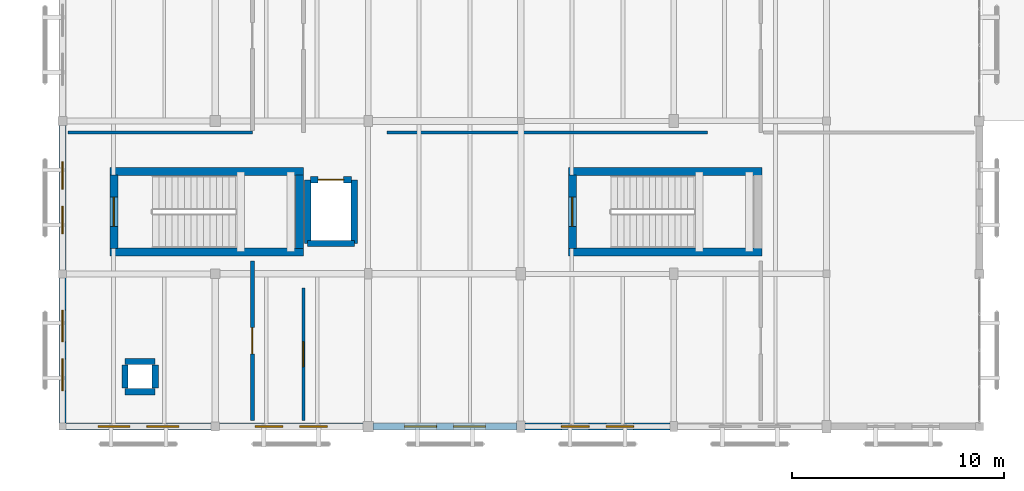
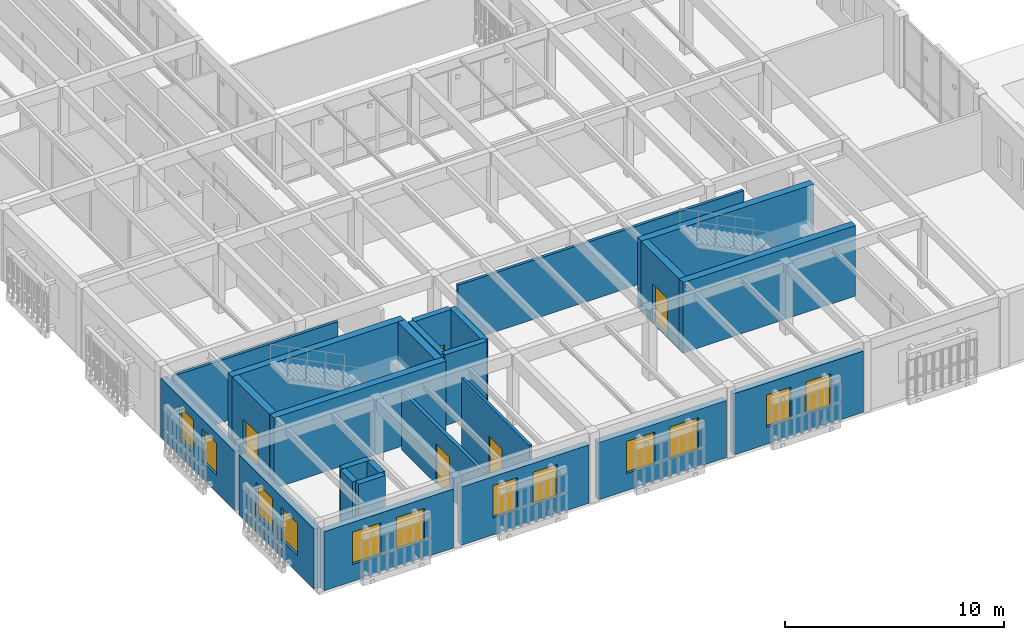
# One storey, part 45 of 61: 25 walls, 12 windows, 5 doors, 17 openings.
"""IFC4 building model written with IfcOpenShell, lengths in metres."""

from ifc_helpers import new_model, si_unit, direction, frame, frame_2d, origin, place, context, subcontext, project, spatial, rectangle, extrude, material, layer, layer_set, type_object, element, fill, save


model = new_model("IFC4")

# Units and contexts
model_context = context("Model", 3, precision=1e-05, world=origin(), true_north=direction((0.0, 1.0)))
body_context = subcontext(model_context, "Body", "Model", "MODEL_VIEW")
ifc_project = project(units=[si_unit("LENGTHUNIT", "METRE"), si_unit("AREAUNIT", "SQUARE_METRE"), si_unit("VOLUMEUNIT", "CUBIC_METRE"), si_unit("PLANEANGLEUNIT", "RADIAN"), si_unit("MASSUNIT", "GRAM", prefix="KILO")], contexts=[model_context])

# Site, building, storey
site_placement = place(None, origin())
site = spatial("IfcSite", under=ifc_project, at=site_placement, CompositionType="ELEMENT")
building_placement = place(site_placement, origin())
building = spatial("IfcBuilding", under=site, at=building_placement, Name="Mazaris Harbour Polytechnic", CompositionType="ELEMENT")
storey_placement = place(building_placement, frame((0.0, 0.0, 18.0)))
storey = spatial("IfcBuildingStorey", under=building, at=storey_placement, Name="L04", CompositionType="ELEMENT", Elevation=18.0)

# Walls
ifc_material_1 = material(Name="Double Gypsum and Mineral Wool")
ifc_layer_1 = layer(ifc_material_1, 0.14990234375, Name="Double Gypsum and Mineral Wool")
ifc_layer_set_1 = layer_set([ifc_layer_1], Name="Double Gypsum and Mineral Wool")
wall_type_1 = type_object("IfcWallType", Name="Classroom Acoustic Partition 150", PredefinedType="PARTITIONING", material=ifc_layer_set_1)
wall_1_placement = place(storey_placement, frame((0.25, 21.06005859375, 0.0), z_axis=(0.0, 0.0, 1.0), x_axis=(1.0, 0.0, 0.0)))
element("IfcWall", 1, at=wall_1_placement, inside=storey, type_object=wall_type_1, Name="V4 L04 Partition 446", PredefinedType="PARTITIONING", context=body_context, shape_type="SweptSolid", body=[
    extrude(rectangle(XDim=8.699951171875, YDim=0.14990234375, at=frame_2d((4.35009765625, 0.0))), origin(), (0.0, 0.0, 1.0), 3.485107421875),
])
wall_2_placement = place(storey_placement, frame((15.2900390625, 21.06005859375, 0.0), z_axis=(0.0, 0.0, 1.0), x_axis=(1.0, 0.0, 0.0)))
element("IfcWall", 2, at=wall_2_placement, inside=storey, type_object=wall_type_1, Name="V4 L04 Partition 458", PredefinedType="PARTITIONING", context=body_context, shape_type="SweptSolid", body=[
    extrude(rectangle(XDim=15.08984375, YDim=0.14990234375, at=frame_2d((7.544921875, 0.0))), origin(), (0.0, 0.0, 1.0), 3.294921875),
])

# Wall, opening, door
ifc_material_2 = material(Name="Terracotta Block and Plaster", Category="masonry")
ifc_layer_2 = layer(ifc_material_2, 0.179931640625, Name="Terracotta Block and Plaster")
ifc_layer_set_2 = layer_set([ifc_layer_2], Name="Terracotta Block and Plaster")
wall_type_2 = type_object("IfcWallType", Name="Corridor Fire Partition 180", PredefinedType="PARTITIONING", material=ifc_layer_set_2)
wall_3_placement = place(storey_placement, frame((8.949951171875, 7.5, 0.0), z_axis=(0.0, 0.0, 1.0), x_axis=(0.0, 1.0, 0.0)))
wall_3 = element("IfcWall", 3, at=wall_3_placement, inside=storey, type_object=wall_type_2, Name="V4 L04 Partition 445", PredefinedType="PARTITIONING", context=body_context, shape_type="SweptSolid", body=[
    extrude(rectangle(XDim=7.4951171875, YDim=0.179931640625, at=frame_2d((3.74755859375, 0.0))), origin(), (0.0, 0.0, 1.0), 3.2548828125),
])
opening_1_placement = place(wall_3_placement, frame((3.12744140625, 0.0, 0.0)))
opening_1 = element("IfcOpeningElement", 4, at=opening_1_placement, cuts=wall_3, Name="Opening ID-10R", PredefinedType="OPENING", context=body_context, shape_type="SweptSolid", body=[
    extrude(rectangle(XDim=1.239990234375, YDim=2.25, at=frame_2d((0.6201171875, 1.125))), frame((0.0, 0.099853515625, 0.0), z_axis=(0.0, -1.0, 0.0), x_axis=(1.0, 0.0, 0.0)), (0.0, 0.0, 1.0), 0.199951171875),
])
ifc_material_3 = material(Name="Glulam Timber and Glass", Category="wood")
door_type_1 = type_object("IfcDoorType", Name="Library Commons Door RH 1240x2250", OperationType="SINGLE_SWING_RIGHT", PredefinedType="DOOR", material=ifc_material_3)
door_1_placement = place(opening_1_placement, origin())
door_1 = element("IfcDoor", 5, at=door_1_placement, inside=storey, type_object=door_type_1, Name="ID-0210", OperationType="SINGLE_SWING_RIGHT", OverallHeight=2.25, OverallWidth=1.239990234375, PredefinedType="DOOR", context=body_context, shape_type="SweptSolid", body=[
    extrude(rectangle(XDim=1.239990234375, YDim=2.25, at=frame_2d((0.6201171875, 1.125))), frame((0.0, 0.02490234375, 0.0), z_axis=(0.0, -1.0, 0.0), x_axis=(1.0, 0.0, 0.0)), (0.0, 0.0, 1.0), 0.050048828125),
])
fill(opening_1, door_1)

# Wall, openings, windows
ifc_material_4 = material(Name="Algerian Buff Limestone and Mineral Wool", Category="masonry")
ifc_layer_3 = layer(ifc_material_4, 0.330078125, Name="Algerian Buff Limestone and Mineral Wool")
ifc_layer_set_3 = layer_set([ifc_layer_3], Name="Algerian Buff Limestone and Mineral Wool")
wall_type_3 = type_object("IfcWallType", Name="Limestone Cavity Wall 330", PredefinedType="STANDARD", material=ifc_layer_set_3)
wall_4_placement = place(storey_placement, frame((6.998046875, 7.199951171875, 0.0), z_axis=(0.0, 0.0, 1.0), x_axis=(-1.0, 0.0, 0.0)))
wall_4 = element("IfcWall", 6, at=wall_4_placement, inside=storey, type_object=wall_type_3, Name="V4 L04 Exterior Wall 246", PredefinedType="STANDARD", context=body_context, shape_type="SweptSolid", body=[
    extrude(rectangle(XDim=6.8359375, YDim=0.330078125, at=frame_2d((3.41796875, 0.0))), origin(), (0.0, 0.0, 1.0), 3.294921875),
])
opening_2_placement = place(wall_4_placement, frame((1.51806640625, 0.0, 0.949951171875)))
opening_2 = element("IfcOpeningElement", 7, at=opening_2_placement, cuts=wall_4, Name="Opening WN-14", PredefinedType="OPENING", context=body_context, shape_type="SweptSolid", body=[
    extrude(rectangle(XDim=1.5, YDim=1.800048828125, at=frame_2d((0.75, 0.89990234375))), frame((0.0, 0.175048828125, 0.0), z_axis=(0.0, -1.0, 0.0), x_axis=(1.0, 0.0, 0.0)), (0.0, 0.0, 1.0), 0.35009765625),
])
opening_3_placement = place(wall_4_placement, frame((3.818115234375, 0.0, 0.949951171875)))
opening_3 = element("IfcOpeningElement", 8, at=opening_3_placement, cuts=wall_4, Name="Opening WN-14", PredefinedType="OPENING", context=body_context, shape_type="SweptSolid", body=[
    extrude(rectangle(XDim=1.5, YDim=1.800048828125, at=frame_2d((0.75, 0.89990234375))), frame((0.0, 0.175048828125, 0.0), z_axis=(0.0, -1.0, 0.0), x_axis=(1.0, 0.0, 0.0)), (0.0, 0.0, 1.0), 0.35009765625),
])
ifc_material_5 = material(Name="Thermally Broken Bronze Aluminium and Low-E Glass", Category="aluminium")
window_type_1 = type_object("IfcWindowType", Name="Attic Deep-Reveal Window 1500x1800", PartitioningType="DOUBLE_PANEL_VERTICAL", PredefinedType="WINDOW", material=ifc_material_5)
window_1_placement = place(opening_2_placement, origin())
window_1 = element("IfcWindow", 9, at=window_1_placement, inside=storey, type_object=window_type_1, Name="WN-0262", OverallHeight=1.800048828125, OverallWidth=1.5, PartitioningType="DOUBLE_PANEL_VERTICAL", PredefinedType="WINDOW", context=body_context, shape_type="SweptSolid", body=[
    extrude(rectangle(XDim=1.5, YDim=1.800048828125, at=frame_2d((0.75, 0.89990234375))), frame((0.0, 0.030029296875, 0.0), z_axis=(0.0, -1.0, 0.0), x_axis=(1.0, 0.0, 0.0)), (0.0, 0.0, 1.0), 0.06005859375),
])
fill(opening_2, window_1)
window_2_placement = place(opening_3_placement, origin())
window_2 = element("IfcWindow", 10, at=window_2_placement, inside=storey, type_object=window_type_1, Name="WN-0263", OverallHeight=1.800048828125, OverallWidth=1.5, PartitioningType="DOUBLE_PANEL_VERTICAL", PredefinedType="WINDOW", context=body_context, shape_type="SweptSolid", body=[
    extrude(rectangle(XDim=1.5, YDim=1.800048828125, at=frame_2d((0.75, 0.89990234375))), frame((0.0, 0.030029296875, 0.0), z_axis=(0.0, -1.0, 0.0), x_axis=(1.0, 0.0, 0.0)), (0.0, 0.0, 1.0), 0.06005859375),
])
fill(opening_3, window_2)

wall_5_placement = place(storey_placement, frame((14.157958984375, 7.199951171875, 0.0), z_axis=(0.0, 0.0, 1.0), x_axis=(-1.0, 0.0, 0.0)))
wall_5 = element("IfcWall", 11, at=wall_5_placement, inside=storey, type_object=wall_type_3, Name="V4 L04 Exterior Wall 247", PredefinedType="STANDARD", context=body_context, shape_type="SweptSolid", body=[
    extrude(rectangle(XDim=6.755859375, YDim=0.330078125, at=frame_2d((3.3779296875, 0.0))), origin(), (0.0, 0.0, 1.0), 3.2548828125),
])
opening_4_placement = place(wall_5_placement, frame((1.677978515625, 0.0, 0.949951171875)))
opening_4 = element("IfcOpeningElement", 12, at=opening_4_placement, cuts=wall_5, Name="Opening WN-13", PredefinedType="OPENING", context=body_context, shape_type="SweptSolid", body=[
    extrude(rectangle(XDim=1.300048828125, YDim=1.800048828125, at=frame_2d((0.64990234375, 0.89990234375))), frame((0.0, 0.175048828125, 0.0), z_axis=(0.0, -1.0, 0.0), x_axis=(1.0, 0.0, 0.0)), (0.0, 0.0, 1.0), 0.35009765625),
])
opening_5_placement = place(wall_5_placement, frame((3.778076171875, 0.0, 0.949951171875)))
opening_5 = element("IfcOpeningElement", 13, at=opening_5_placement, cuts=wall_5, Name="Opening WN-13", PredefinedType="OPENING", context=body_context, shape_type="SweptSolid", body=[
    extrude(rectangle(XDim=1.300048828125, YDim=1.800048828125, at=frame_2d((0.64990234375, 0.89990234375))), frame((0.0, 0.175048828125, 0.0), z_axis=(0.0, -1.0, 0.0), x_axis=(1.0, 0.0, 0.0)), (0.0, 0.0, 1.0), 0.35009765625),
])
ifc_material_6 = material(Name="Thermally Broken Bronze Aluminium and Low-E Glass", Category="aluminium")
window_type_2 = type_object("IfcWindowType", Name="Attic Deep-Reveal Window 1300x1800", PartitioningType="DOUBLE_PANEL_VERTICAL", PredefinedType="WINDOW", material=ifc_material_6)
window_3_placement = place(opening_4_placement, origin())
window_3 = element("IfcWindow", 14, at=window_3_placement, inside=storey, type_object=window_type_2, Name="WN-0264", OverallHeight=1.800048828125, OverallWidth=1.300048828125, PartitioningType="DOUBLE_PANEL_VERTICAL", PredefinedType="WINDOW", context=body_context, shape_type="SweptSolid", body=[
    extrude(rectangle(XDim=1.300048828125, YDim=1.800048828125, at=frame_2d((0.64990234375, 0.89990234375))), frame((0.0, 0.030029296875, 0.0), z_axis=(0.0, -1.0, 0.0), x_axis=(1.0, 0.0, 0.0)), (0.0, 0.0, 1.0), 0.06005859375),
])
fill(opening_4, window_3)
window_4_placement = place(opening_5_placement, origin())
window_4 = element("IfcWindow", 15, at=window_4_placement, inside=storey, type_object=window_type_2, Name="WN-0265", OverallHeight=1.800048828125, OverallWidth=1.300048828125, PartitioningType="DOUBLE_PANEL_VERTICAL", PredefinedType="WINDOW", context=body_context, shape_type="SweptSolid", body=[
    extrude(rectangle(XDim=1.300048828125, YDim=1.800048828125, at=frame_2d((0.64990234375, 0.89990234375))), frame((0.0, 0.030029296875, 0.0), z_axis=(0.0, -1.0, 0.0), x_axis=(1.0, 0.0, 0.0)), (0.0, 0.0, 1.0), 0.06005859375),
])
fill(opening_5, window_4)

wall_6_placement = place(storey_placement, frame((21.407958984375, 7.199951171875, 0.0), z_axis=(0.0, 0.0, 1.0), x_axis=(-1.0, 0.0, 0.0)))
wall_6 = element("IfcWall", 16, at=wall_6_placement, inside=storey, type_object=wall_type_3, Name="V4 L04 Exterior Wall 248", PredefinedType="STANDARD", context=body_context, shape_type="SweptSolid", body=[
    extrude(rectangle(XDim=6.765869140625, YDim=0.330078125, at=frame_2d((3.3828125, 0.0))), origin(), (0.0, 0.0, 1.0), 3.195068359375),
])
opening_6_placement = place(wall_6_placement, frame((1.48291015625, 0.0, 0.949951171875)))
opening_6 = element("IfcOpeningElement", 17, at=opening_6_placement, cuts=wall_6, Name="Opening WN-14", PredefinedType="OPENING", context=body_context, shape_type="SweptSolid", body=[
    extrude(rectangle(XDim=1.5, YDim=1.800048828125, at=frame_2d((0.75, 0.89990234375))), frame((0.0, 0.175048828125, 0.0), z_axis=(0.0, -1.0, 0.0), x_axis=(1.0, 0.0, 0.0)), (0.0, 0.0, 1.0), 0.35009765625),
])
opening_7_placement = place(wall_6_placement, frame((3.782958984375, 0.0, 0.949951171875)))
opening_7 = element("IfcOpeningElement", 18, at=opening_7_placement, cuts=wall_6, Name="Opening WN-14", PredefinedType="OPENING", context=body_context, shape_type="SweptSolid", body=[
    extrude(rectangle(XDim=1.5, YDim=1.800048828125, at=frame_2d((0.75, 0.89990234375))), frame((0.0, 0.175048828125, 0.0), z_axis=(0.0, -1.0, 0.0), x_axis=(1.0, 0.0, 0.0)), (0.0, 0.0, 1.0), 0.35009765625),
])
window_5_placement = place(opening_6_placement, origin())
window_5 = element("IfcWindow", 19, at=window_5_placement, inside=storey, type_object=window_type_1, Name="WN-0266", OverallHeight=1.800048828125, OverallWidth=1.5, PartitioningType="DOUBLE_PANEL_VERTICAL", PredefinedType="WINDOW", context=body_context, shape_type="SweptSolid", body=[
    extrude(rectangle(XDim=1.5, YDim=1.800048828125, at=frame_2d((0.75, 0.89990234375))), frame((0.0, 0.030029296875, 0.0), z_axis=(0.0, -1.0, 0.0), x_axis=(1.0, 0.0, 0.0)), (0.0, 0.0, 1.0), 0.06005859375),
])
fill(opening_6, window_5)
window_6_placement = place(opening_7_placement, origin())
window_6 = element("IfcWindow", 20, at=window_6_placement, inside=storey, type_object=window_type_1, Name="WN-0267", OverallHeight=1.800048828125, OverallWidth=1.5, PartitioningType="DOUBLE_PANEL_VERTICAL", PredefinedType="WINDOW", context=body_context, shape_type="SweptSolid", body=[
    extrude(rectangle(XDim=1.5, YDim=1.800048828125, at=frame_2d((0.75, 0.89990234375))), frame((0.0, 0.030029296875, 0.0), z_axis=(0.0, -1.0, 0.0), x_axis=(1.0, 0.0, 0.0)), (0.0, 0.0, 1.0), 0.06005859375),
])
fill(opening_7, window_6)

wall_7_placement = place(storey_placement, frame((28.6279296875, 7.199951171875, 0.0), z_axis=(0.0, 0.0, 1.0), x_axis=(-1.0, 0.0, 0.0)))
wall_7 = element("IfcWall", 21, at=wall_7_placement, inside=storey, type_object=wall_type_3, Name="V4 L04 Exterior Wall 249", PredefinedType="STANDARD", context=body_context, shape_type="SweptSolid", body=[
    extrude(rectangle(XDim=6.8359375, YDim=0.330078125, at=frame_2d((3.41796875, 0.0))), origin(), (0.0, 0.0, 1.0), 3.4150390625),
])
opening_8_placement = place(wall_7_placement, frame((1.718017578125, 0.0, 0.949951171875)))
opening_8 = element("IfcOpeningElement", 22, at=opening_8_placement, cuts=wall_7, Name="Opening WN-13", PredefinedType="OPENING", context=body_context, shape_type="SweptSolid", body=[
    extrude(rectangle(XDim=1.300048828125, YDim=1.800048828125, at=frame_2d((0.64990234375, 0.89990234375))), frame((0.0, 0.175048828125, 0.0), z_axis=(0.0, -1.0, 0.0), x_axis=(1.0, 0.0, 0.0)), (0.0, 0.0, 1.0), 0.35009765625),
])
opening_9_placement = place(wall_7_placement, frame((3.818115234375, 0.0, 0.949951171875)))
opening_9 = element("IfcOpeningElement", 23, at=opening_9_placement, cuts=wall_7, Name="Opening WN-13", PredefinedType="OPENING", context=body_context, shape_type="SweptSolid", body=[
    extrude(rectangle(XDim=1.300048828125, YDim=1.800048828125, at=frame_2d((0.64990234375, 0.89990234375))), frame((0.0, 0.175048828125, 0.0), z_axis=(0.0, -1.0, 0.0), x_axis=(1.0, 0.0, 0.0)), (0.0, 0.0, 1.0), 0.35009765625),
])
window_7_placement = place(opening_8_placement, origin())
window_7 = element("IfcWindow", 24, at=window_7_placement, inside=storey, type_object=window_type_2, Name="WN-0268", OverallHeight=1.800048828125, OverallWidth=1.300048828125, PartitioningType="DOUBLE_PANEL_VERTICAL", PredefinedType="WINDOW", context=body_context, shape_type="SweptSolid", body=[
    extrude(rectangle(XDim=1.300048828125, YDim=1.800048828125, at=frame_2d((0.64990234375, 0.89990234375))), frame((0.0, 0.030029296875, 0.0), z_axis=(0.0, -1.0, 0.0), x_axis=(1.0, 0.0, 0.0)), (0.0, 0.0, 1.0), 0.06005859375),
])
fill(opening_8, window_7)
window_8_placement = place(opening_9_placement, origin())
window_8 = element("IfcWindow", 25, at=window_8_placement, inside=storey, type_object=window_type_2, Name="WN-0269", OverallHeight=1.800048828125, OverallWidth=1.300048828125, PartitioningType="DOUBLE_PANEL_VERTICAL", PredefinedType="WINDOW", context=body_context, shape_type="SweptSolid", body=[
    extrude(rectangle(XDim=1.300048828125, YDim=1.800048828125, at=frame_2d((0.64990234375, 0.89990234375))), frame((0.0, 0.030029296875, 0.0), z_axis=(0.0, -1.0, 0.0), x_axis=(1.0, 0.0, 0.0)), (0.0, 0.0, 1.0), 0.06005859375),
])
fill(opening_9, window_8)

wall_8_placement = place(storey_placement, frame((0.0, 7.362060546875, 0.0), z_axis=(0.0, 0.0, 1.0), x_axis=(0.0, 1.0, 0.0)))
wall_8 = element("IfcWall", 26, at=wall_8_placement, inside=storey, type_object=wall_type_3, Name="V4 L04 Exterior Wall 258", PredefinedType="STANDARD", context=body_context, shape_type="SweptSolid", body=[
    extrude(rectangle(XDim=6.85595703125, YDim=0.330078125, at=frame_2d((3.427978515625, 0.0))), origin(), (0.0, 0.0, 1.0), 3.35498046875),
])
opening_10_placement = place(wall_8_placement, frame((1.528076171875, 0.0, 0.949951171875)))
opening_10 = element("IfcOpeningElement", 27, at=opening_10_placement, cuts=wall_8, Name="Opening WN-14", PredefinedType="OPENING", context=body_context, shape_type="SweptSolid", body=[
    extrude(rectangle(XDim=1.5, YDim=1.800048828125, at=frame_2d((0.75, 0.89990234375))), frame((0.0, 0.175048828125, 0.0), z_axis=(0.0, -1.0, 0.0), x_axis=(1.0, 0.0, 0.0)), (0.0, 0.0, 1.0), 0.35009765625),
])
opening_11_placement = place(wall_8_placement, frame((3.827880859375, 0.0, 0.949951171875)))
opening_11 = element("IfcOpeningElement", 28, at=opening_11_placement, cuts=wall_8, Name="Opening WN-14", PredefinedType="OPENING", context=body_context, shape_type="SweptSolid", body=[
    extrude(rectangle(XDim=1.5, YDim=1.800048828125, at=frame_2d((0.75, 0.89990234375))), frame((0.0, 0.175048828125, 0.0), z_axis=(0.0, -1.0, 0.0), x_axis=(1.0, 0.0, 0.0)), (0.0, 0.0, 1.0), 0.35009765625),
])
window_9_placement = place(opening_10_placement, origin())
window_9 = element("IfcWindow", 29, at=window_9_placement, inside=storey, type_object=window_type_1, Name="WN-0286", OverallHeight=1.800048828125, OverallWidth=1.5, PartitioningType="DOUBLE_PANEL_VERTICAL", PredefinedType="WINDOW", context=body_context, shape_type="SweptSolid", body=[
    extrude(rectangle(XDim=1.5, YDim=1.800048828125, at=frame_2d((0.75, 0.89990234375))), frame((0.0, 0.030029296875, 0.0), z_axis=(0.0, -1.0, 0.0), x_axis=(1.0, 0.0, 0.0)), (0.0, 0.0, 1.0), 0.06005859375),
])
fill(opening_10, window_9)
window_10_placement = place(opening_11_placement, origin())
window_10 = element("IfcWindow", 30, at=window_10_placement, inside=storey, type_object=window_type_1, Name="WN-0287", OverallHeight=1.800048828125, OverallWidth=1.5, PartitioningType="DOUBLE_PANEL_VERTICAL", PredefinedType="WINDOW", context=body_context, shape_type="SweptSolid", body=[
    extrude(rectangle(XDim=1.5, YDim=1.800048828125, at=frame_2d((0.75, 0.89990234375))), frame((0.0, 0.030029296875, 0.0), z_axis=(0.0, -1.0, 0.0), x_axis=(1.0, 0.0, 0.0)), (0.0, 0.0, 1.0), 0.06005859375),
])
fill(opening_11, window_10)

wall_9_placement = place(storey_placement, frame((0.0, 14.58203125, 0.0), z_axis=(0.0, 0.0, 1.0), x_axis=(0.0, 1.0, 0.0)))
wall_9 = element("IfcWall", 31, at=wall_9_placement, inside=storey, type_object=wall_type_3, Name="V4 L04 Exterior Wall 259", PredefinedType="STANDARD", context=body_context, shape_type="SweptSolid", body=[
    extrude(rectangle(XDim=6.81591796875, YDim=0.330078125, at=frame_2d((3.407958984375, 0.0))), origin(), (0.0, 0.0, 1.0), 3.294921875),
])
opening_12_placement = place(wall_9_placement, frame((1.7080078125, 0.0, 0.949951171875)))
opening_12 = element("IfcOpeningElement", 32, at=opening_12_placement, cuts=wall_9, Name="Opening WN-13", PredefinedType="OPENING", context=body_context, shape_type="SweptSolid", body=[
    extrude(rectangle(XDim=1.300048828125, YDim=1.800048828125, at=frame_2d((0.64990234375, 0.89990234375))), frame((0.0, 0.175048828125, 0.0), z_axis=(0.0, -1.0, 0.0), x_axis=(1.0, 0.0, 0.0)), (0.0, 0.0, 1.0), 0.35009765625),
])
opening_13_placement = place(wall_9_placement, frame((3.80810546875, 0.0, 0.949951171875)))
opening_13 = element("IfcOpeningElement", 33, at=opening_13_placement, cuts=wall_9, Name="Opening WN-13", PredefinedType="OPENING", context=body_context, shape_type="SweptSolid", body=[
    extrude(rectangle(XDim=1.300048828125, YDim=1.800048828125, at=frame_2d((0.64990234375, 0.89990234375))), frame((0.0, 0.175048828125, 0.0), z_axis=(0.0, -1.0, 0.0), x_axis=(1.0, 0.0, 0.0)), (0.0, 0.0, 1.0), 0.35009765625),
])
window_11_placement = place(opening_12_placement, origin())
window_11 = element("IfcWindow", 34, at=window_11_placement, inside=storey, type_object=window_type_2, Name="WN-0288", OverallHeight=1.800048828125, OverallWidth=1.300048828125, PartitioningType="DOUBLE_PANEL_VERTICAL", PredefinedType="WINDOW", context=body_context, shape_type="SweptSolid", body=[
    extrude(rectangle(XDim=1.300048828125, YDim=1.800048828125, at=frame_2d((0.64990234375, 0.89990234375))), frame((0.0, 0.030029296875, 0.0), z_axis=(0.0, -1.0, 0.0), x_axis=(1.0, 0.0, 0.0)), (0.0, 0.0, 1.0), 0.06005859375),
])
fill(opening_12, window_11)
window_12_placement = place(opening_13_placement, origin())
window_12 = element("IfcWindow", 35, at=window_12_placement, inside=storey, type_object=window_type_2, Name="WN-0289", OverallHeight=1.800048828125, OverallWidth=1.300048828125, PartitioningType="DOUBLE_PANEL_VERTICAL", PredefinedType="WINDOW", context=body_context, shape_type="SweptSolid", body=[
    extrude(rectangle(XDim=1.300048828125, YDim=1.800048828125, at=frame_2d((0.64990234375, 0.89990234375))), frame((0.0, 0.030029296875, 0.0), z_axis=(0.0, -1.0, 0.0), x_axis=(1.0, 0.0, 0.0)), (0.0, 0.0, 1.0), 0.06005859375),
])
fill(opening_13, window_12)

# Walls
ifc_material_7 = material(Name="Concrete C40/50", Category="concrete")
ifc_layer_4 = layer(ifc_material_7, 0.375, Name="Concrete C40/50")
ifc_layer_set_4 = layer_set([ifc_layer_4], Name="Concrete C40/50")
wall_type_4 = type_object("IfcWallType", Name="RC Core Shear Wall 375", PredefinedType="SHEAR", material=ifc_layer_set_4)
for number, where, z_axis, x_axis, name in (
    (36, (2.25, 15.425048828125, 0.0), (0.0, 0.0, 1.0), (1.0, 0.0, 0.0), "Core ST07 L04 Shear Wall S"),
    (37, (11.35009765625, 19.22509765625, 0.0), (0.0, 0.0, 1.0), (-1.0, 0.0, 0.0), "Core ST07 L04 Shear Wall N"),
):
    element("IfcWall", number, at=place(storey_placement, frame(where, z_axis=z_axis, x_axis=x_axis)), inside=storey, type_object=wall_type_4, Name=name, PredefinedType="SHEAR", context=body_context, shape_type="SweptSolid", body=[
        extrude(rectangle(XDim=9.10009765625, YDim=0.375, at=frame_2d((4.550048828125, 0.0))), origin(), (0.0, 0.0, 1.0), 3.93505859375),
    ])
wall_10_placement = place(storey_placement, frame((11.175048828125, 15.60009765625, 0.0), z_axis=(0.0, 0.0, 1.0), x_axis=(0.0, 1.0, 0.0)))
element("IfcWall", 38, at=wall_10_placement, inside=storey, type_object=wall_type_4, Name="Core ST07 L04 Shear Wall E", PredefinedType="SHEAR", context=body_context, shape_type="SweptSolid", body=[
    extrude(rectangle(XDim=3.449951171875, YDim=0.375, at=frame_2d((1.72509765625, 0.0))), origin(), (0.0, 0.0, 1.0), 3.93505859375),
])
for number, where, z_axis, x_axis, name in (
    (39, (23.85009765625, 15.425048828125, 0.0), (0.0, 0.0, 1.0), (1.0, 0.0, 0.0), "Core ST08 L04 Shear Wall S"),
    (40, (32.949951171875, 19.22509765625, 0.0), (0.0, 0.0, 1.0), (-1.0, 0.0, 0.0), "Core ST08 L04 Shear Wall N"),
):
    element("IfcWall", number, at=place(storey_placement, frame(where, z_axis=z_axis, x_axis=x_axis)), inside=storey, type_object=wall_type_4, Name=name, PredefinedType="SHEAR", context=body_context, shape_type="SweptSolid", body=[
        extrude(rectangle(XDim=9.099853515625, YDim=0.375, at=frame_2d((4.5498046875, 0.0))), origin(), (0.0, 0.0, 1.0), 3.93505859375),
    ])

# Wall, opening, door
wall_11_placement = place(storey_placement, frame((2.425048828125, 19.050048828125, 0.0), z_axis=(0.0, 0.0, 1.0), x_axis=(0.0, -1.0, 0.0)))
wall_11 = element("IfcWall", 41, at=wall_11_placement, inside=storey, type_object=wall_type_4, Name="Core ST07 L04 Entrance Shear Wall", PredefinedType="SHEAR", context=body_context, shape_type="SweptSolid", body=[
    extrude(rectangle(XDim=3.449951171875, YDim=0.375, at=frame_2d((1.72509765625, 0.0))), origin(), (0.0, 0.0, 1.0), 3.93505859375),
])
opening_14_placement = place(wall_11_placement, frame((1.034912109375, 0.0, 0.0)))
opening_14 = element("IfcOpeningElement", 42, at=opening_14_placement, cuts=wall_11, Name="Opening SD-01", PredefinedType="OPENING", context=body_context, shape_type="SweptSolid", body=[
    extrude(rectangle(XDim=1.3798828125, YDim=2.199951171875, at=frame_2d((0.68994140625, 1.10009765625))), frame((0.0, 0.197509765625, 0.0), z_axis=(0.0, -1.0, 0.0), x_axis=(1.0, 0.0, 0.0)), (0.0, 0.0, 1.0), 0.39501953125),
])
ifc_material_8 = material(Name="Glulam Timber and Fire Glass", Category="wood")
door_type_2 = type_object("IfcDoorType", Name="Protected Stair Lobby Fire Door 1380x2200", OperationType="DOUBLE_DOOR_SINGLE_SWING", PredefinedType="DOOR", material=ifc_material_8)
door_2_placement = place(opening_14_placement, origin())
door_2 = element("IfcDoor", 43, at=door_2_placement, inside=storey, type_object=door_type_2, Name="SD-033", OperationType="DOUBLE_DOOR_SINGLE_SWING", OverallHeight=2.199951171875, OverallWidth=1.3798828125, PredefinedType="DOOR", context=body_context, shape_type="SweptSolid", body=[
    extrude(rectangle(XDim=1.3798828125, YDim=2.199951171875, at=frame_2d((0.68994140625, 1.10009765625))), frame((0.0, 0.02490234375, 0.0), z_axis=(0.0, -1.0, 0.0), x_axis=(1.0, 0.0, 0.0)), (0.0, 0.0, 1.0), 0.050048828125),
])
fill(opening_14, door_2)

wall_12_placement = place(storey_placement, frame((24.02490234375, 19.050048828125, 0.0), z_axis=(0.0, 0.0, 1.0), x_axis=(0.0, -1.0, 0.0)))
wall_12 = element("IfcWall", 44, at=wall_12_placement, inside=storey, type_object=wall_type_4, Name="Core ST08 L04 Entrance Shear Wall", PredefinedType="SHEAR", context=body_context, shape_type="SweptSolid", body=[
    extrude(rectangle(XDim=3.449951171875, YDim=0.375, at=frame_2d((1.72509765625, 0.0))), origin(), (0.0, 0.0, 1.0), 3.93505859375),
])
opening_15_placement = place(wall_12_placement, frame((1.034912109375, 0.0, 0.0)))
opening_15 = element("IfcOpeningElement", 45, at=opening_15_placement, cuts=wall_12, Name="Opening SD-01", PredefinedType="OPENING", context=body_context, shape_type="SweptSolid", body=[
    extrude(rectangle(XDim=1.3798828125, YDim=2.199951171875, at=frame_2d((0.68994140625, 1.10009765625))), frame((0.0, 0.197509765625, 0.0), z_axis=(0.0, -1.0, 0.0), x_axis=(1.0, 0.0, 0.0)), (0.0, 0.0, 1.0), 0.39501953125),
])
door_3_placement = place(opening_15_placement, origin())
door_3 = element("IfcDoor", 46, at=door_3_placement, inside=storey, type_object=door_type_2, Name="SD-040", OperationType="DOUBLE_DOOR_SINGLE_SWING", OverallHeight=2.199951171875, OverallWidth=1.3798828125, PredefinedType="DOOR", context=body_context, shape_type="SweptSolid", body=[
    extrude(rectangle(XDim=1.3798828125, YDim=2.199951171875, at=frame_2d((0.68994140625, 1.10009765625))), frame((0.0, 0.02490234375, 0.0), z_axis=(0.0, -1.0, 0.0), x_axis=(1.0, 0.0, 0.0)), (0.0, 0.0, 1.0), 0.050048828125),
])
fill(opening_15, door_3)

# Walls
ifc_material_9 = material(Name="Concrete C40/50", Category="concrete")
ifc_layer_5 = layer(ifc_material_9, 0.300048828125, Name="Concrete C40/50")
ifc_layer_set_5 = layer_set([ifc_layer_5], Name="Concrete C40/50")
wall_type_5 = type_object("IfcWallType", Name="RC Lift Shaft Wall 300", PredefinedType="SHEAR", material=ifc_layer_set_5)
wall_13_placement = place(storey_placement, frame((2.949951171875, 8.85009765625, 0.0), z_axis=(0.0, 0.0, 1.0), x_axis=(1.0, 0.0, 0.0)))
element("IfcWall", 47, at=wall_13_placement, inside=storey, type_object=wall_type_5, Name="V4 L04 Riser Enclosure Wall 1-1", PredefinedType="SHEAR", context=body_context, shape_type="SweptSolid", body=[
    extrude(rectangle(XDim=1.420166015625, YDim=0.300048828125, at=frame_2d((0.7099609375, 0.0))), origin(), (0.0, 0.0, 1.0), 3.9599609375),
])
wall_14_placement = place(storey_placement, frame((4.3701171875, 9.010009765625, 0.0), z_axis=(0.0, 0.0, 1.0), x_axis=(0.0, 1.0, 0.0)))
element("IfcWall", 48, at=wall_14_placement, inside=storey, type_object=wall_type_5, Name="V4 L04 Riser Enclosure Wall 1-2", PredefinedType="SHEAR", context=body_context, shape_type="SweptSolid", body=[
    extrude(rectangle(XDim=1.10009765625, YDim=0.300048828125, at=frame_2d((0.550048828125, 0.0))), origin(), (0.0, 0.0, 1.0), 3.9599609375),
])
wall_15_placement = place(storey_placement, frame((4.3701171875, 10.27001953125, 0.0), z_axis=(0.0, 0.0, 1.0), x_axis=(-1.0, 0.0, 0.0)))
element("IfcWall", 49, at=wall_15_placement, inside=storey, type_object=wall_type_5, Name="V4 L04 Riser Enclosure Wall 1-3", PredefinedType="SHEAR", context=body_context, shape_type="SweptSolid", body=[
    extrude(rectangle(XDim=1.420166015625, YDim=0.300048828125, at=frame_2d((0.7099609375, 0.0))), origin(), (0.0, 0.0, 1.0), 3.9599609375),
])
wall_16_placement = place(storey_placement, frame((2.949951171875, 10.110107421875, 0.0), z_axis=(0.0, 0.0, 1.0), x_axis=(0.0, -1.0, 0.0)))
element("IfcWall", 50, at=wall_16_placement, inside=storey, type_object=wall_type_5, Name="V4 L04 Riser Enclosure Wall 1-4", PredefinedType="SHEAR", context=body_context, shape_type="SweptSolid", body=[
    extrude(rectangle(XDim=1.10009765625, YDim=0.300048828125, at=frame_2d((0.550048828125, 0.0))), origin(), (0.0, 0.0, 1.0), 3.9599609375),
])
wall_17_placement = place(storey_placement, frame((11.550048828125, 15.824951171875, 0.0), z_axis=(0.0, 0.0, 1.0), x_axis=(1.0, 0.0, 0.0)))
element("IfcWall", 51, at=wall_17_placement, inside=storey, type_object=wall_type_5, Name="Lift LF-01 L04 South Shaft Wall", PredefinedType="SHEAR", context=body_context, shape_type="SweptSolid", body=[
    extrude(rectangle(XDim=2.199951171875, YDim=0.300048828125, at=frame_2d((1.10009765625, 0.0))), origin(), (0.0, 0.0, 1.0), 3.93505859375),
])
for number, where, z_axis, x_axis, name in (
    (52, (11.550048828125, 18.824951171875, 0.0), (0.0, 0.0, 1.0), (0.0, -1.0, 0.0), "Lift LF-01 L04 West Shaft Wall"),
    (53, (13.75, 15.824951171875, 0.0), (0.0, 0.0, 1.0), (0.0, 1.0, 0.0), "Lift LF-01 L04 East Shaft Wall"),
):
    element("IfcWall", number, at=place(storey_placement, frame(where, z_axis=z_axis, x_axis=x_axis)), inside=storey, type_object=wall_type_5, Name=name, PredefinedType="SHEAR", context=body_context, shape_type="SweptSolid", body=[
        extrude(rectangle(XDim=3.0, YDim=0.300048828125, at=frame_2d((1.5, 0.0))), origin(), (0.0, 0.0, 1.0), 3.93505859375),
    ])

# Wall, opening, door
wall_18_placement = place(storey_placement, frame((11.68994140625, 18.824951171875, 0.0), z_axis=(0.0, 0.0, 1.0), x_axis=(1.0, 0.0, 0.0)))
wall_18 = element("IfcWall", 54, at=wall_18_placement, inside=storey, type_object=wall_type_5, Name="Lift LF-01 L04 Front Shaft Wall", PredefinedType="SHEAR", context=body_context, shape_type="SweptSolid", body=[
    extrude(rectangle(XDim=1.920166015625, YDim=0.300048828125, at=frame_2d((0.9599609375, 0.0))), origin(), (0.0, 0.0, 1.0), 3.93505859375),
])
opening_16_placement = place(wall_18_placement, frame((0.360107421875, 0.0, 0.0)))
opening_16 = element("IfcOpeningElement", 55, at=opening_16_placement, cuts=wall_18, Name="Opening LD-02", PredefinedType="OPENING", context=body_context, shape_type="SweptSolid", body=[
    extrude(rectangle(XDim=1.199951171875, YDim=2.10009765625, at=frame_2d((0.60009765625, 1.050048828125))), frame((0.0, 0.159912109375, 0.0), z_axis=(0.0, -1.0, 0.0), x_axis=(1.0, 0.0, 0.0)), (0.0, 0.0, 1.0), 0.320068359375),
])
ifc_material_10 = material(Name="Stainless Steel S355", Category="steel")
door_type_3 = type_object("IfcDoorType", Name="Sliding Firefighting Lift Landing Door 1200x2100", OperationType="SLIDING_TO_LEFT", PredefinedType="DOOR", material=ifc_material_10)
door_4_placement = place(opening_16_placement, origin())
door_4 = element("IfcDoor", 56, at=door_4_placement, inside=storey, type_object=door_type_3, Name="LD-006", OperationType="SLIDING_TO_LEFT", OverallHeight=2.10009765625, OverallWidth=1.199951171875, PredefinedType="DOOR", context=body_context, shape_type="SweptSolid", body=[
    extrude(rectangle(XDim=1.199951171875, YDim=2.10009765625, at=frame_2d((0.60009765625, 1.050048828125))), frame((0.0, 0.02490234375, 0.0), z_axis=(0.0, -1.0, 0.0), x_axis=(1.0, 0.0, 0.0)), (0.0, 0.0, 1.0), 0.050048828125),
])
fill(opening_16, door_4)

ifc_material_11 = material(Name="Gypsum Board and Mineral Wool")
ifc_layer_6 = layer(ifc_material_11, 0.135009765625, Name="Gypsum Board and Mineral Wool")
ifc_layer_set_6 = layer_set([ifc_layer_6], Name="Gypsum Board and Mineral Wool")
wall_type_6 = type_object("IfcWallType", Name="Studio Partition Wall 135", PredefinedType="PARTITIONING", material=ifc_layer_set_6)
wall_19_placement = place(storey_placement, frame((11.35009765625, 7.5, 0.0), z_axis=(0.0, 0.0, 1.0), x_axis=(0.0, 1.0, 0.0)))
wall_19 = element("IfcWall", 57, at=wall_19_placement, inside=storey, type_object=wall_type_6, Name="V4 L04 Partition 456", PredefinedType="PARTITIONING", context=body_context, shape_type="SweptSolid", body=[
    extrude(rectangle(XDim=6.219970703125, YDim=0.135009765625, at=frame_2d((3.10986328125, 0.0))), origin(), (0.0, 0.0, 1.0), 3.93505859375),
])
opening_17_placement = place(wall_19_placement, frame((2.530029296875, 0.0, 0.0)))
opening_17 = element("IfcOpeningElement", 58, at=opening_17_placement, cuts=wall_19, Name="Opening ID-03R", PredefinedType="OPENING", context=body_context, shape_type="SweptSolid", body=[
    extrude(rectangle(XDim=1.159912109375, YDim=2.199951171875, at=frame_2d((0.580078125, 1.10009765625))), frame((0.0, 0.077392578125, 0.0), z_axis=(0.0, -1.0, 0.0), x_axis=(1.0, 0.0, 0.0)), (0.0, 0.0, 1.0), 0.155029296875),
])
ifc_material_12 = material(Name="Glulam Timber and Acoustic Glass", Category="wood")
door_type_4 = type_object("IfcDoorType", Name="Design Studio Door RH 1160x2200", OperationType="SINGLE_SWING_RIGHT", PredefinedType="DOOR", material=ifc_material_12)
door_5_placement = place(opening_17_placement, origin())
door_5 = element("IfcDoor", 59, at=door_5_placement, inside=storey, type_object=door_type_4, Name="ID-0216", OperationType="SINGLE_SWING_RIGHT", OverallHeight=2.199951171875, OverallWidth=1.159912109375, PredefinedType="DOOR", context=body_context, shape_type="SweptSolid", body=[
    extrude(rectangle(XDim=1.159912109375, YDim=2.199951171875, at=frame_2d((0.580078125, 1.10009765625))), frame((0.0, 0.02490234375, 0.0), z_axis=(0.0, -1.0, 0.0), x_axis=(1.0, 0.0, 0.0)), (0.0, 0.0, 1.0), 0.050048828125),
])
fill(opening_17, door_5)

save(model, "model.ifc")
